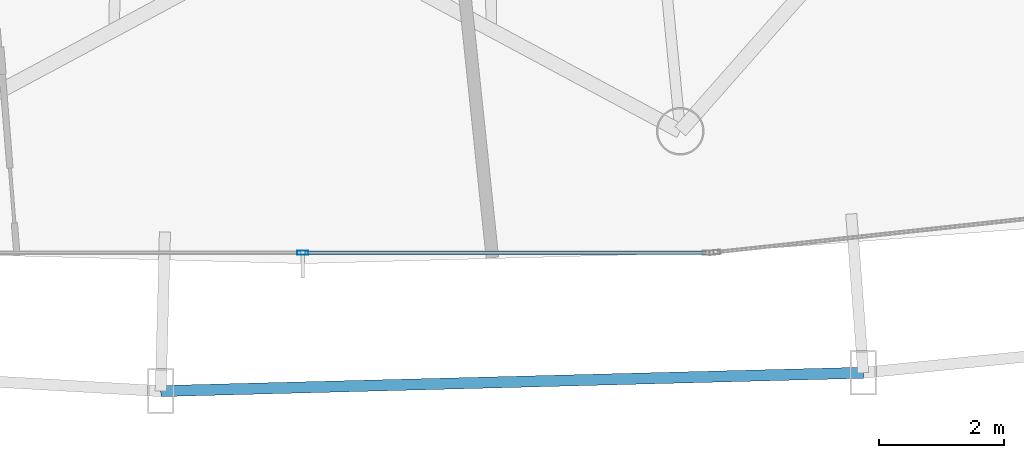
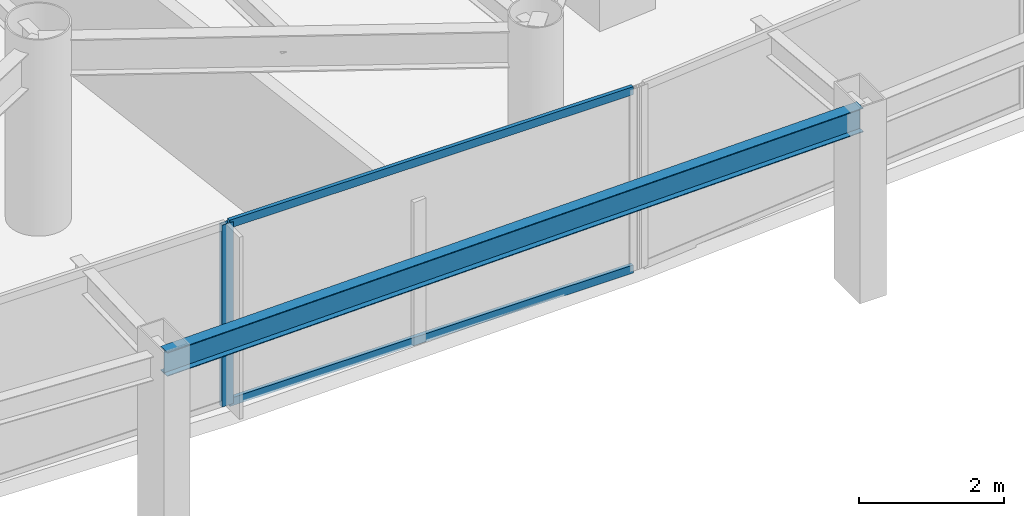
# One storey, part 7 of 37: 3 members, 1 beam, 1 element without a shape of its own.
"""IFC4 building model written with IfcOpenShell, lengths in metres."""

import ifcopenshell
import ifcopenshell.guid

model = None  # the IFC model being written
_history = None  # IfcOwnerHistory: only IFC2X3 demands one
_inside = {}  # id of a spatial element -> (the spatial element, [elements in it])
_under = {}  # id of a project, library or spatial element -> (it, [spatial elements below it])
_declared = {}  # id of a project -> (the project, [libraries it declares])
_typed = {}  # id of a type object -> (the type object, [elements of that type])
_made_of = {}  # id of a material, layer set ... -> (it, [elements and type objects made of it])


def new_model(schema):
    """Start an empty IFC model of exactly this schema.

    Asked for "IFC4X3", IfcOpenShell would pick the latest addendum, in which some entities
    have other attributes; the version numbers below select the first issue.
    IFC2X3 requires an IfcOwnerHistory on every rooted entity: one is made here for all.
    """
    global model, _history
    if schema == "IFC4X3":
        model = ifcopenshell.file(schema_version=(4, 3, 0, 0))
    else:
        model = ifcopenshell.file(schema=schema)
    _inside.clear()
    _under.clear()
    _declared.clear()
    _typed.clear()
    _made_of.clear()
    _history = None
    if model.schema == "IFC2X3":
        org = make("IfcOrganization", Name="unknown")
        user = make(
            "IfcPersonAndOrganization",
            ThePerson=make("IfcPerson", FamilyName="unknown"),
            TheOrganization=org,
        )
        app = make(
            "IfcApplication",
            ApplicationDeveloper=org,
            Version="unknown",
            ApplicationFullName="unknown",
            ApplicationIdentifier="unknown",
        )
        _history = make(
            "IfcOwnerHistory",
            OwningUser=user,
            OwningApplication=app,
            ChangeAction="ADDED",
            CreationDate=0,
        )
    return model


def make(cls, **values):
    """One entity of the class cls with the attributes given. An attribute that is None is left unset."""
    return model.create_entity(
        cls, **{name: value for name, value in values.items() if value is not None}
    )


def rooted(cls, **values):
    """An entity with a GlobalId (a new one), such as an element, a storey or a relation."""
    return make(cls, GlobalId=ifcopenshell.guid.new(), OwnerHistory=_history, **values)


def si_unit(unit_type, name, prefix=None):
    """IfcSIUnit, for example si_unit("LENGTHUNIT", "METRE", prefix="MILLI")."""
    return make("IfcSIUnit", UnitType=unit_type, Prefix=prefix, Name=name)


def assignment(units):
    """IfcUnitAssignment: the units of a project."""
    return None if units is None else make("IfcUnitAssignment", Units=units)


def point(xyz):
    """IfcCartesianPoint."""
    return None if xyz is None else make("IfcCartesianPoint", Coordinates=xyz)


def direction(xyz):
    """IfcDirection."""
    return None if xyz is None else make("IfcDirection", DirectionRatios=xyz)


def frame(location, z_axis=None, x_axis=None):
    """IfcAxis2Placement3D, a coordinate frame: its origin and axes. An axis left out is left unset."""
    return make(
        "IfcAxis2Placement3D",
        Location=point(location),
        Axis=direction(z_axis),
        RefDirection=direction(x_axis),
    )


def frame_2d(location, x_axis=None):
    """IfcAxis2Placement2D, a coordinate frame in the plane: its origin and x axis."""
    return make(
        "IfcAxis2Placement2D", Location=point(location), RefDirection=direction(x_axis)
    )


def origin():
    """The frame at (0, 0, 0) with its axes left unset."""
    return frame((0.0, 0.0, 0.0))


def origin_2d():
    """The frame at (0, 0) in the plane with its x axis left unset."""
    return frame_2d((0.0, 0.0))


def place(relative_to, where):
    """IfcLocalPlacement: puts the frame where relative to a parent placement (None: the world)."""
    return make(
        "IfcLocalPlacement", PlacementRelTo=relative_to, RelativePlacement=where
    )


def context(
    kind, dimensions, precision=None, world=None, true_north=None, identifier=None
):
    """IfcGeometricRepresentationContext, for example the 3D "Model" context."""
    return make(
        "IfcGeometricRepresentationContext",
        ContextIdentifier=identifier,
        ContextType=kind,
        CoordinateSpaceDimension=dimensions,
        Precision=precision,
        WorldCoordinateSystem=world,
        TrueNorth=true_north,
    )


def subcontext(parent, identifier, kind, view, scale=None):
    """IfcGeometricRepresentationSubContext, for example "Body" below "Model"."""
    return make(
        "IfcGeometricRepresentationSubContext",
        ContextIdentifier=identifier,
        ContextType=kind,
        ParentContext=parent,
        TargetScale=scale,
        TargetView=view,
    )


def project(units=None, contexts=None):
    """IfcProject with its units and contexts."""
    return rooted(
        "IfcProject",
        Name="project",
        RepresentationContexts=contexts,
        UnitsInContext=assignment(units),
    )


def spatial(cls, under=None, at=None, **own):
    """A site, building, storey or space (cls), placed at a placement, below another one or the project."""
    s = rooted(cls, ObjectPlacement=at, **own)
    if under is not None:
        _under.setdefault(under.id(), (under, []))[1].append(s)
    return s


def profile(cls, at=None, kind="AREA", **sizes):
    """A parametric profile (cls). Its sizes go by their IFC names, for example OverallWidth=200.0."""
    return make(cls, ProfileType=kind, Position=at, **sizes)


def hollow_rectangle(**sizes):
    """IfcRectangleHollowProfileDef."""
    return profile("IfcRectangleHollowProfileDef", **sizes)


def i_section(**sizes):
    """IfcIShapeProfileDef."""
    return profile("IfcIShapeProfileDef", **sizes)


def extrude(swept, where, along, depth):
    """IfcExtrudedAreaSolid: the profile swept, set in the frame where, extruded along a direction by depth."""
    return make(
        "IfcExtrudedAreaSolid",
        SweptArea=swept,
        Position=where,
        ExtrudedDirection=direction(along),
        Depth=depth,
    )


def shape(context_of_items, identifier, shape_type, items):
    """IfcShapeRepresentation: the items that make up one representation, for example the "Body"."""
    return make(
        "IfcShapeRepresentation",
        ContextOfItems=context_of_items,
        RepresentationIdentifier=identifier,
        RepresentationType=shape_type,
        Items=items,
    )


def material(Name=None, Category=None):
    """IfcMaterial."""
    return make("IfcMaterial", Name=Name, Category=Category)


def layer(
    of_material, thickness, ventilated=None, Name=None, Category=None, Priority=None
):
    """IfcMaterialLayer: one layer of a wall or slab, of a material (None: an air gap)."""
    return make(
        "IfcMaterialLayer",
        Material=of_material,
        LayerThickness=thickness,
        IsVentilated=ventilated,
        Name=Name,
        Category=Category,
        Priority=Priority,
    )


def layer_set(layers, Name=None):
    """IfcMaterialLayerSet."""
    return make("IfcMaterialLayerSet", MaterialLayers=layers, LayerSetName=Name)


def material_profile(
    of_material, cross_section, Name=None, Category=None, Priority=None
):
    """IfcMaterialProfile: a cross section and its material."""
    return make(
        "IfcMaterialProfile",
        Name=Name,
        Material=of_material,
        Profile=cross_section,
        Priority=Priority,
        Category=Category,
    )


def profile_set(profiles, Name=None, composite=None):
    """IfcMaterialProfileSet."""
    return make(
        "IfcMaterialProfileSet",
        Name=Name,
        MaterialProfiles=profiles,
        CompositeProfile=composite,
    )


def made_of(thing, what):
    """Note that an element or type object is made of a material, layer set ...; save() writes the relation."""
    if what is not None:
        _made_of.setdefault(what.id(), (what, []))[1].append(thing)
    return thing


def type_object(cls, material=None, **own):
    """A type object (cls), such as IfcWallType, which elements share."""
    return made_of(rooted(cls, **own), material)


def element(
    cls,
    number,
    at=None,
    inside=None,
    cuts=None,
    type_object=None,
    material=None,
    context=None,
    identifier="Body",
    shape_type=None,
    held_by="IfcProductDefinitionShape",
    body=None,
    shapes=None,
    **own,
):
    """One element of the class cls, such as IfcWall. Its Tag is "e" and its number.

    at: its placement. inside: the storey or other place that contains it. cuts: it is an
    opening in that element (IfcRelVoidsElement). A single representation is given by context,
    identifier, shape_type and body (its items); several are given by shapes. held_by: the class
    of the entity that holds the representations. save() writes the other relations.
    """
    e = rooted(cls, Tag="e%d" % number, ObjectPlacement=at, **own)
    if body is not None:
        shapes = [shape(context, identifier, shape_type, body)]
    if shapes is not None:
        e.Representation = make(held_by, Representations=shapes)
    if inside is not None:
        _inside.setdefault(inside.id(), (inside, []))[1].append(e)
    if cuts is not None:
        rooted(
            "IfcRelVoidsElement", RelatingBuildingElement=cuts, RelatedOpeningElement=e
        )
    if type_object is not None:
        _typed.setdefault(type_object.id(), (type_object, []))[1].append(e)
    return made_of(e, material)


def aggregate(whole, parts):
    """IfcRelAggregates: a whole, such as a stair, and the parts it consists of."""
    return rooted("IfcRelAggregates", RelatingObject=whole, RelatedObjects=parts)


def save(model, path):
    """Write the relations noted so far, then the file.

    IfcRelAggregates (storeys below a building ...), IfcRelContainedInSpatialStructure (elements
    in a storey), IfcRelDefinesByType, IfcRelAssociatesMaterial and IfcRelDeclares: one each for
    every whole, place, type object, material and project.
    """
    for whole, parts in _under.values():
        aggregate(whole, parts)
    for where, things in _inside.values():
        rooted(
            "IfcRelContainedInSpatialStructure",
            RelatedElements=things,
            RelatingStructure=where,
        )
    for kind, things in _typed.values():
        rooted("IfcRelDefinesByType", RelatedObjects=things, RelatingType=kind)
    for what, things in _made_of.values():
        rooted("IfcRelAssociatesMaterial", RelatedObjects=things, RelatingMaterial=what)
    for by, libraries in _declared.values():
        rooted("IfcRelDeclares", RelatingContext=by, RelatedDefinitions=libraries)
    model.write(path)


model = new_model("IFC4")

# Units and contexts
model_context = context("Model", 3, precision=1e-05, world=origin(), true_north=direction((0.0, 1.0)))
body_context = subcontext(model_context, "Body", "Model", "MODEL_VIEW")
ifc_project = project(units=[si_unit("LENGTHUNIT", "METRE"), si_unit("AREAUNIT", "SQUARE_METRE"), si_unit("VOLUMEUNIT", "CUBIC_METRE"), si_unit("PLANEANGLEUNIT", "RADIAN"), si_unit("MASSUNIT", "GRAM", prefix="KILO")], contexts=[model_context])

# Site, building, storey
site_placement = place(None, origin())
site = spatial("IfcSite", under=ifc_project, at=site_placement, CompositionType="ELEMENT")
building_placement = place(site_placement, origin())
building = spatial("IfcBuilding", under=site, at=building_placement, Name="Orvanel Arch Residences", CompositionType="ELEMENT")
storey_placement = place(building_placement, frame((0.0, 0.0, 53.300048828125)))
storey = spatial("IfcBuildingStorey", under=building, at=storey_placement, Name="L14", CompositionType="ELEMENT", Elevation=53.300048828125)

# Curtain wall, member
ifc_material_1 = material(Name="Bronze-anodised aluminium AA6063-T6", Category="aluminium")
ifc_layer = layer(ifc_material_1, 0.179931640625)
ifc_layer_set = layer_set([ifc_layer], Name="Bronze-anodised aluminium AA6063-T6")
curtain_wall_type = type_object("IfcCurtainWallType", Name="CW2-LOW-SYS", PredefinedType="NOTDEFINED", material=ifc_layer_set)
curtain_wall_placement = place(storey_placement, origin())
curtain_wall = element("IfcCurtainWall", 1, at=curtain_wall_placement, inside=storey, type_object=curtain_wall_type, Name="L14 CW2-LOW-SYS Unitised Curtain Wall", PredefinedType="NOTDEFINED")
ifc_material_profile_1 = material_profile(ifc_material_1, hollow_rectangle(XDim=0.070068359375, YDim=0.179931640625, WallThickness=0.00439453125, at=origin_2d()), Name="ALU180x70x4.5")
ifc_profile_set_1 = profile_set([ifc_material_profile_1], Name="Bronze-anodised aluminium AA6063-T6")
member_type_1 = type_object("IfcMemberType", Name="MUL-180x70", PredefinedType="MULLION", material=ifc_profile_set_1)
member_1_placement = place(storey_placement, frame((33.0, 1.659912109375, 0.0), z_axis=(0.0, 0.0, 1.0), x_axis=(0.0, 1.0, 0.0)))
member_1 = element("IfcMember", 2, at=member_1_placement, type_object=member_type_1, Name="CW-S2 mullion 2", PredefinedType="MULLION", context=body_context, shape_type="SweptSolid", body=[
    extrude(hollow_rectangle(XDim=0.070068359375, YDim=0.179931640625, WallThickness=0.00439453125, at=origin_2d()), origin(), (0.0, 0.0, 1.0), 3.06005859375),
])

# Beam
ifc_material_2 = material(Name="Structural steel AS/NZS 3679.1 Grade 300 (300 MPa)", Category="steel")
ifc_material_profile_2 = material_profile(ifc_material_2, i_section(OverallWidth=0.177978515625, OverallDepth=0.406005859375, WebThickness=0.0078125, FlangeThickness=0.0126953125, at=origin_2d()), Name="410UB59.7")
ifc_profile_set_2 = profile_set([ifc_material_profile_2], Name="Structural steel AS/NZS 3679.1 Grade 300 (300 MPa)")
beam_type = type_object("IfcBeamType", Name="OB-410UB-EXT", PredefinedType="SPANDREL", material=ifc_profile_set_2)
beam_placement = place(storey_placement, frame((30.72607421875, -0.554931640625, 2.85693359375), z_axis=(0.999658574404, 0.026129190969, 0.0), x_axis=(-0.026129190969, 0.999658574404, 0.0)))
element("IfcBeam", 3, at=beam_placement, inside=storey, type_object=beam_type, Name="L14 Outer Perimeter Floor Ring Beam 06", PredefinedType="SPANDREL", context=body_context, shape_type="SweptSolid", body=[
    extrude(i_section(OverallWidth=0.177978515625, OverallDepth=0.406005859375, WebThickness=0.0078125, FlangeThickness=0.0126953125, at=origin_2d()), origin(), (0.0, 0.0, 1.0), 11.249755859375),
])

# Member
ifc_material_profile_3 = material_profile(ifc_material_1, hollow_rectangle(XDim=0.06005859375, YDim=0.135009765625, WallThickness=0.00390625, at=origin_2d()), Name="ALU135x60x4")
ifc_profile_set_3 = profile_set([ifc_material_profile_3], Name="Bronze-anodised aluminium AA6063-T6")
member_type_2 = type_object("IfcMemberType", Name="TRN-135x60", PredefinedType="USERDEFINED", material=ifc_profile_set_3)
member_2_placement = place(storey_placement, frame((33.034912109375, 1.659912109375, 0.030029296875), z_axis=(1.0, 0.0, 0.0), x_axis=(0.0, 1.0, 0.0)))
member_2 = element("IfcMember", 4, at=member_2_placement, type_object=member_type_2, Name="CW-S2 transom 2.1", ObjectType="TRANSOM", PredefinedType="USERDEFINED", context=body_context, shape_type="SweptSolid", body=[
    extrude(hollow_rectangle(XDim=0.06005859375, YDim=0.135009765625, WallThickness=0.00390625, at=origin_2d()), origin(), (0.0, 0.0, 1.0), 6.420166015625),
])

member_3_placement = place(storey_placement, frame((33.034912109375, 1.659912109375, 3.030029296875), z_axis=(1.0, 0.0, 0.0), x_axis=(0.0, 1.0, 0.0)))
member_3 = element("IfcMember", 5, at=member_3_placement, type_object=member_type_2, Name="CW-S2 transom 2.2", ObjectType="TRANSOM", PredefinedType="USERDEFINED", context=body_context, shape_type="SweptSolid", body=[
    extrude(hollow_rectangle(XDim=0.06005859375, YDim=0.135009765625, WallThickness=0.00390625, at=origin_2d()), origin(), (0.0, 0.0, 1.0), 6.420166015625),
])

aggregate(curtain_wall, [member_1, member_2, member_3])

save(model, "model.ifc")
